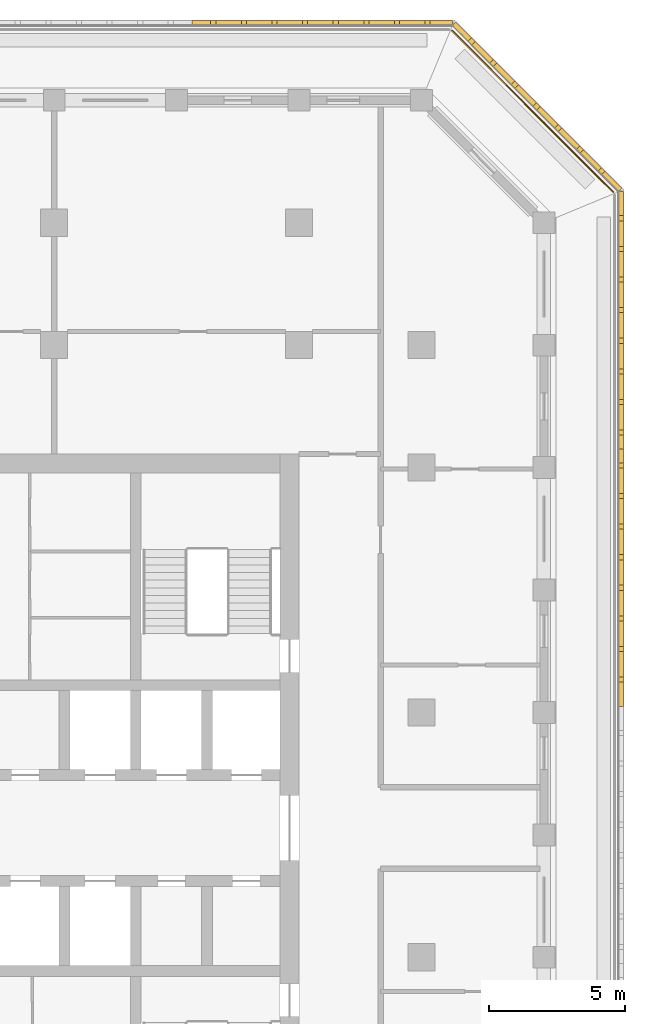
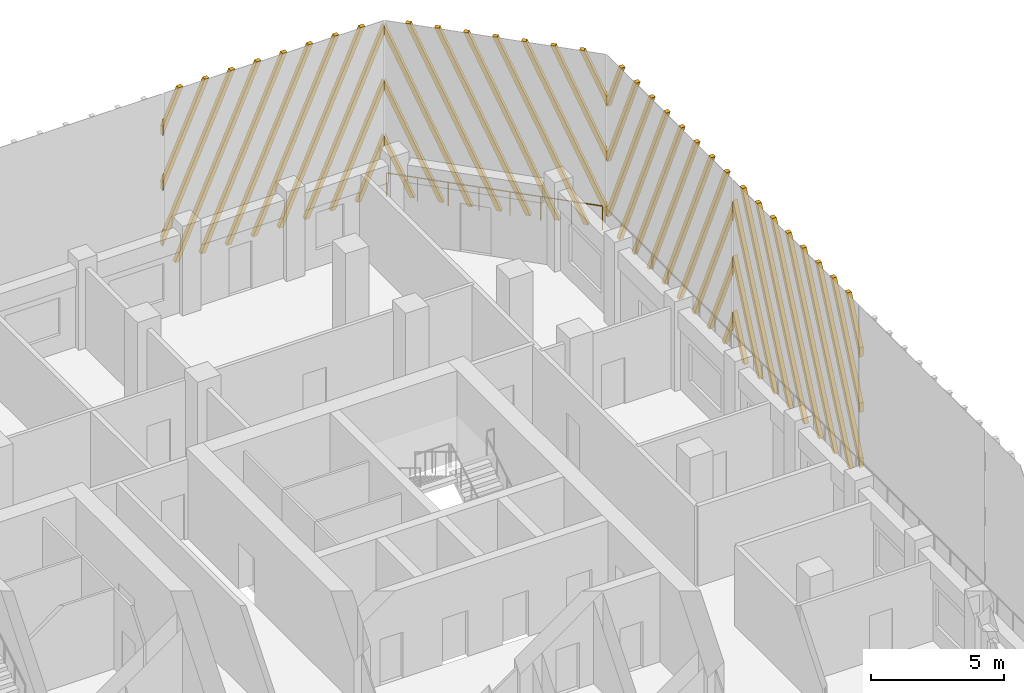
# One storey, part 16 of 17: 4 shading devices, 1 railing.
"""IFC4 building model written with IfcOpenShell, lengths in metres."""

from ifc_helpers import new_model, si_unit, direction, frame, origin, origin_2d, place, context, subcontext, project, spatial, polyline, circle, outline, extrude, source, transform, mapped, material, type_object, element, save


model = new_model("IFC4")

# Units and contexts
model_context = context("Model", 3, precision=1e-05, world=origin(), true_north=direction((0.0, 1.0)))
body_context = subcontext(model_context, "Body", "Model", "MODEL_VIEW")
ifc_project = project(units=[si_unit("LENGTHUNIT", "METRE"), si_unit("AREAUNIT", "SQUARE_METRE"), si_unit("VOLUMEUNIT", "CUBIC_METRE"), si_unit("PLANEANGLEUNIT", "RADIAN"), si_unit("MASSUNIT", "GRAM", prefix="KILO")], contexts=[model_context])

# Site, building, storey
site_placement = place(None, origin())
site = spatial("IfcSite", under=ifc_project, at=site_placement, CompositionType="ELEMENT")
building_placement = place(site_placement, origin())
building = spatial("IfcBuilding", under=site, at=building_placement, Name="Corbel Stack Research Tower", CompositionType="ELEMENT")
storey_placement = place(building_placement, frame((0.0, 0.0, 248.0)))
storey = spatial("IfcBuildingStorey", under=building, at=storey_placement, Name="L56", CompositionType="ELEMENT", Elevation=248.0)

# Railing
ifc_material_1 = material(Name="Powder-coated steel guard", Category="steel")
railing_type = type_object("IfcRailingType", Name="Steel and glass guard 1100", PredefinedType="GUARDRAIL", material=ifc_material_1)
railing_placement = place(storey_placement, frame((29.54931640625, 28.127685546875, 0.0)))
element("IfcRailing", 1, at=railing_placement, inside=storey, type_object=railing_type, Name="Loggia guard L56 NE", PredefinedType="GUARDRAIL", context=body_context, shape_type="SweptSolid", body=[
    extrude(circle(Radius=0.02392578125, at=origin_2d()), frame((0.0, 0.0, 1.076171875), z_axis=(-0.707106781187, 0.707106781187, 0.0), x_axis=(-0.707106781187, -0.707106781187, 0.0)), (0.0, 0.0, 1.0), 8.37451171875),
    extrude(circle(Radius=0.02099609375, at=origin_2d()), origin(), (0.0, 0.0, 1.0), 1.052001953125),
    extrude(circle(Radius=0.02099609375, at=origin_2d()), frame((-0.845947265625, 0.845947265625, 0.0)), (0.0, 0.0, 1.0), 1.052001953125),
    extrude(circle(Radius=0.02099609375, at=origin_2d()), frame((-1.69189453125, 1.69189453125, 0.0)), (0.0, 0.0, 1.0), 1.052001953125),
    extrude(circle(Radius=0.02099609375, at=origin_2d()), frame((-2.537841796875, 2.537841796875, 0.0)), (0.0, 0.0, 1.0), 1.052001953125),
    extrude(circle(Radius=0.02099609375, at=origin_2d()), frame((-3.3837890625, 3.3837890625, 0.0)), (0.0, 0.0, 1.0), 1.052001953125),
    extrude(circle(Radius=0.02099609375, at=origin_2d()), frame((-4.229736328125, 4.229736328125, 0.0)), (0.0, 0.0, 1.0), 1.052001953125),
    extrude(circle(Radius=0.02099609375, at=origin_2d()), frame((-5.07568359375, 5.07568359375, 0.0)), (0.0, 0.0, 1.0), 1.052001953125),
    extrude(circle(Radius=0.02099609375, at=origin_2d()), frame((-5.921630859375, 5.921630859375, 0.0)), (0.0, 0.0, 1.0), 1.052001953125),
])

# Shading devices
ifc_material_2 = material(Name="Precast terracotta", Category="masonry")
shading_device_type = type_object("IfcShadingDeviceType", Name="Terracotta screen panel", PredefinedType="USERDEFINED", material=ifc_material_2)
shared_shape_1 = source(origin(), body_context, "Body", "SweptSolid", [
    extrude(outline(polyline([(0.862060546875, 0.0), (0.0, 1.936279296875), (0.0, 1.509521484375), (0.672119140625, 0.0), (0.862060546875, 0.0)])), frame((0.0, 0.0, 0.0), z_axis=(0.0, -1.0, 0.0), x_axis=(1.0, 0.0, 0.0)), (0.0, 0.0, 1.0), 0.179931640625),
    extrude(outline(polyline([(1.987060546875, 0.0), (0.0, 4.463134765625), (0.0, 4.036376953125), (1.797119140625, 0.0), (1.987060546875, 0.0)])), frame((0.0, 0.0, 0.0), z_axis=(0.0, -1.0, 0.0), x_axis=(1.0, 0.0, 0.0)), (0.0, 0.0, 1.0), 0.179931640625),
    extrude(outline(polyline([(3.112060546875, 0.0), (0.0, 6.989990234375), (0.0, 6.563232421875), (2.922119140625, 0.0), (3.112060546875, 0.0)])), frame((0.0, 0.0, 0.0), z_axis=(0.0, -1.0, 0.0), x_axis=(1.0, 0.0, 0.0)), (0.0, 0.0, 1.0), 0.179931640625),
    extrude(outline(polyline([(4.237060546875, 0.0), (0.697509765625, 7.949951171875), (0.507568359375, 7.949951171875), (4.047119140625, 0.0), (4.237060546875, 0.0)])), frame((0.0, 0.0, 0.0), z_axis=(0.0, -1.0, 0.0), x_axis=(1.0, 0.0, 0.0)), (0.0, 0.0, 1.0), 0.179931640625),
    extrude(outline(polyline([(5.362060546875, 0.0), (1.822509765625, 7.949951171875), (1.632568359375, 7.949951171875), (5.172119140625, 0.0), (5.362060546875, 0.0)])), frame((0.0, 0.0, 0.0), z_axis=(0.0, -1.0, 0.0), x_axis=(1.0, 0.0, 0.0)), (0.0, 0.0, 1.0), 0.179931640625),
    extrude(outline(polyline([(6.487060546875, 0.0), (2.947509765625, 7.949951171875), (2.757568359375, 7.949951171875), (6.297119140625, 0.0), (6.487060546875, 0.0)])), frame((0.0, 0.0, 0.0), z_axis=(0.0, -1.0, 0.0), x_axis=(1.0, 0.0, 0.0)), (0.0, 0.0, 1.0), 0.179931640625),
    extrude(outline(polyline([(7.612060546875, 0.0), (4.072509765625, 7.949951171875), (3.882568359375, 7.949951171875), (7.422119140625, 0.0), (7.612060546875, 0.0)])), frame((0.0, 0.0, 0.0), z_axis=(0.0, -1.0, 0.0), x_axis=(1.0, 0.0, 0.0)), (0.0, 0.0, 1.0), 0.179931640625),
    extrude(outline(polyline([(8.737060546875, 0.0), (5.197509765625, 7.949951171875), (5.007568359375, 7.949951171875), (8.547119140625, 0.0), (8.737060546875, 0.0)])), frame((0.0, 0.0, 0.0), z_axis=(0.0, -1.0, 0.0), x_axis=(1.0, 0.0, 0.0)), (0.0, 0.0, 1.0), 0.179931640625),
    extrude(outline(polyline([(6.322509765625, 7.949951171875), (6.132568359375, 7.949951171875), (9.45556640625, 0.486328125), (9.45556640625, 0.9130859375), (6.322509765625, 7.949951171875)])), frame((0.0, 0.0, 0.0), z_axis=(0.0, -1.0, 0.0), x_axis=(1.0, 0.0, 0.0)), (0.0, 0.0, 1.0), 0.179931640625),
    extrude(outline(polyline([(7.447509765625, 7.949951171875), (7.257568359375, 7.949951171875), (9.45556640625, 3.01318359375), (9.45556640625, 3.439697265625), (7.447509765625, 7.949951171875)])), frame((0.0, 0.0, 0.0), z_axis=(0.0, -1.0, 0.0), x_axis=(1.0, 0.0, 0.0)), (0.0, 0.0, 1.0), 0.179931640625),
    extrude(outline(polyline([(8.572509765625, 7.949951171875), (8.382568359375, 7.949951171875), (9.45556640625, 5.539794921875), (9.45556640625, 5.966552734375), (8.572509765625, 7.949951171875)])), frame((0.0, 0.0, 0.0), z_axis=(0.0, -1.0, 0.0), x_axis=(1.0, 0.0, 0.0)), (0.0, 0.0, 1.0), 0.179931640625),
])
shading_device_1_placement = place(storey_placement, frame((29.75, 18.68359375, 0.0), z_axis=(0.0, 0.0, 1.0), x_axis=(0.0, 1.0, 0.0)))
element("IfcShadingDevice", 2, at=shading_device_1_placement, inside=storey, type_object=shading_device_type, Name="Terracotta screen L56 E5", ObjectType="SCREEN", PredefinedType="USERDEFINED", context=body_context, shape_type="MappedRepresentation", body=[
    mapped(shared_shape_1, transform((0.0, 0.0, 0.0))),
])
shared_shape_2 = source(origin(), body_context, "Body", "SweptSolid", [
    extrude(outline(polyline([(1.072998046875, 7.949951171875), (0.883056640625, 7.949951171875), (0.0, 5.966552734375), (0.0, 5.539794921875), (1.072998046875, 7.949951171875)])), frame((0.0, 0.0, 0.0), z_axis=(0.0, -1.0, 0.0), x_axis=(1.0, 0.0, 0.0)), (0.0, 0.0, 1.0), 0.179931640625),
    extrude(outline(polyline([(2.197998046875, 7.949951171875), (2.008056640625, 7.949951171875), (0.0, 3.439697265625), (0.0, 3.01318359375), (2.197998046875, 7.949951171875)])), frame((0.0, 0.0, 0.0), z_axis=(0.0, -1.0, 0.0), x_axis=(1.0, 0.0, 0.0)), (0.0, 0.0, 1.0), 0.179931640625),
    extrude(outline(polyline([(3.322998046875, 7.949951171875), (3.133056640625, 7.949951171875), (0.0, 0.9130859375), (0.0, 0.486328125), (3.322998046875, 7.949951171875)])), frame((0.0, 0.0, 0.0), z_axis=(0.0, -1.0, 0.0), x_axis=(1.0, 0.0, 0.0)), (0.0, 0.0, 1.0), 0.179931640625),
    extrude(outline(polyline([(0.908447265625, 0.0), (4.447998046875, 7.949951171875), (4.258056640625, 7.949951171875), (0.718505859375, 0.0), (0.908447265625, 0.0)])), frame((0.0, 0.0, 0.0), z_axis=(0.0, -1.0, 0.0), x_axis=(1.0, 0.0, 0.0)), (0.0, 0.0, 1.0), 0.179931640625),
    extrude(outline(polyline([(2.033447265625, 0.0), (5.572998046875, 7.949951171875), (5.383056640625, 7.949951171875), (1.843505859375, 0.0), (2.033447265625, 0.0)])), frame((0.0, 0.0, 0.0), z_axis=(0.0, -1.0, 0.0), x_axis=(1.0, 0.0, 0.0)), (0.0, 0.0, 1.0), 0.179931640625),
    extrude(outline(polyline([(3.158447265625, 0.0), (6.697998046875, 7.949951171875), (6.508056640625, 7.949951171875), (2.968505859375, 0.0), (3.158447265625, 0.0)])), frame((0.0, 0.0, 0.0), z_axis=(0.0, -1.0, 0.0), x_axis=(1.0, 0.0, 0.0)), (0.0, 0.0, 1.0), 0.179931640625),
    extrude(outline(polyline([(4.283447265625, 0.0), (7.822998046875, 7.949951171875), (7.633056640625, 7.949951171875), (4.093505859375, 0.0), (4.283447265625, 0.0)])), frame((0.0, 0.0, 0.0), z_axis=(0.0, -1.0, 0.0), x_axis=(1.0, 0.0, 0.0)), (0.0, 0.0, 1.0), 0.179931640625),
    extrude(outline(polyline([(5.408447265625, 0.0), (8.947998046875, 7.949951171875), (8.758056640625, 7.949951171875), (5.218505859375, 0.0), (5.408447265625, 0.0)])), frame((0.0, 0.0, 0.0), z_axis=(0.0, -1.0, 0.0), x_axis=(1.0, 0.0, 0.0)), (0.0, 0.0, 1.0), 0.179931640625),
    extrude(outline(polyline([(6.533447265625, 0.0), (9.45556640625, 6.563232421875), (9.45556640625, 6.989990234375), (6.343505859375, 0.0), (6.533447265625, 0.0)])), frame((0.0, 0.0, 0.0), z_axis=(0.0, -1.0, 0.0), x_axis=(1.0, 0.0, 0.0)), (0.0, 0.0, 1.0), 0.179931640625),
    extrude(outline(polyline([(7.658447265625, 0.0), (9.45556640625, 4.036376953125), (9.45556640625, 4.463134765625), (7.468505859375, 0.0), (7.658447265625, 0.0)])), frame((0.0, 0.0, 0.0), z_axis=(0.0, -1.0, 0.0), x_axis=(1.0, 0.0, 0.0)), (0.0, 0.0, 1.0), 0.179931640625),
    extrude(outline(polyline([(8.783447265625, 0.0), (9.45556640625, 1.509521484375), (9.45556640625, 1.936279296875), (8.593505859375, 0.0), (8.783447265625, 0.0)])), frame((0.0, 0.0, 0.0), z_axis=(0.0, -1.0, 0.0), x_axis=(1.0, 0.0, 0.0)), (0.0, 0.0, 1.0), 0.179931640625),
])
shading_device_2_placement = place(storey_placement, frame((29.75, 9.227783203125, 0.0), z_axis=(0.0, 0.0, 1.0), x_axis=(0.0, 1.0, 0.0)))
element("IfcShadingDevice", 3, at=shading_device_2_placement, inside=storey, type_object=shading_device_type, Name="Terracotta screen L56 E4", ObjectType="SCREEN", PredefinedType="USERDEFINED", context=body_context, shape_type="MappedRepresentation", body=[
    mapped(shared_shape_2, transform((0.0, 0.0, 0.0))),
])
shared_shape_3 = source(origin(), body_context, "Body", "SweptSolid", [
    extrude(outline(polyline([(1.072998046875, 7.949951171875), (0.883056640625, 7.949951171875), (0.0, 5.966552734375), (0.0, 5.539794921875), (1.072998046875, 7.949951171875)])), frame((0.0, 0.0, 0.0), z_axis=(0.0, -1.0, 0.0), x_axis=(1.0, 0.0, 0.0)), (0.0, 0.0, 1.0), 0.179931640625),
    extrude(outline(polyline([(2.197998046875, 7.949951171875), (2.008056640625, 7.949951171875), (0.0, 3.439697265625), (0.0, 3.01318359375), (2.197998046875, 7.949951171875)])), frame((0.0, 0.0, 0.0), z_axis=(0.0, -1.0, 0.0), x_axis=(1.0, 0.0, 0.0)), (0.0, 0.0, 1.0), 0.179931640625),
    extrude(outline(polyline([(3.322998046875, 7.949951171875), (3.133056640625, 7.949951171875), (0.0, 0.9130859375), (0.0, 0.486328125), (3.322998046875, 7.949951171875)])), frame((0.0, 0.0, 0.0), z_axis=(0.0, -1.0, 0.0), x_axis=(1.0, 0.0, 0.0)), (0.0, 0.0, 1.0), 0.179931640625),
    extrude(outline(polyline([(0.908447265625, 0.0), (4.447998046875, 7.949951171875), (4.258056640625, 7.949951171875), (0.718505859375, 0.0), (0.908447265625, 0.0)])), frame((0.0, 0.0, 0.0), z_axis=(0.0, -1.0, 0.0), x_axis=(1.0, 0.0, 0.0)), (0.0, 0.0, 1.0), 0.179931640625),
    extrude(outline(polyline([(2.033447265625, 0.0), (5.572998046875, 7.949951171875), (5.383056640625, 7.949951171875), (1.843505859375, 0.0), (2.033447265625, 0.0)])), frame((0.0, 0.0, 0.0), z_axis=(0.0, -1.0, 0.0), x_axis=(1.0, 0.0, 0.0)), (0.0, 0.0, 1.0), 0.179931640625),
    extrude(outline(polyline([(3.158447265625, 0.0), (6.697998046875, 7.949951171875), (6.508056640625, 7.949951171875), (2.968505859375, 0.0), (3.158447265625, 0.0)])), frame((0.0, 0.0, 0.0), z_axis=(0.0, -1.0, 0.0), x_axis=(1.0, 0.0, 0.0)), (0.0, 0.0, 1.0), 0.179931640625),
    extrude(outline(polyline([(4.283447265625, 0.0), (7.822998046875, 7.949951171875), (7.633056640625, 7.949951171875), (4.093505859375, 0.0), (4.283447265625, 0.0)])), frame((0.0, 0.0, 0.0), z_axis=(0.0, -1.0, 0.0), x_axis=(1.0, 0.0, 0.0)), (0.0, 0.0, 1.0), 0.179931640625),
    extrude(outline(polyline([(5.408447265625, 0.0), (8.64208984375, 7.262939453125), (8.64208984375, 7.689697265625), (5.218505859375, 0.0), (5.408447265625, 0.0)])), frame((0.0, 0.0, 0.0), z_axis=(0.0, -1.0, 0.0), x_axis=(1.0, 0.0, 0.0)), (0.0, 0.0, 1.0), 0.179931640625),
    extrude(outline(polyline([(6.533447265625, 0.0), (8.64208984375, 4.736083984375), (8.64208984375, 5.162841796875), (6.343505859375, 0.0), (6.533447265625, 0.0)])), frame((0.0, 0.0, 0.0), z_axis=(0.0, -1.0, 0.0), x_axis=(1.0, 0.0, 0.0)), (0.0, 0.0, 1.0), 0.179931640625),
    extrude(outline(polyline([(7.658447265625, 0.0), (8.64208984375, 2.209228515625), (8.64208984375, 2.635986328125), (7.468505859375, 0.0), (7.658447265625, 0.0)])), frame((0.0, 0.0, 0.0), z_axis=(0.0, -1.0, 0.0), x_axis=(1.0, 0.0, 0.0)), (0.0, 0.0, 1.0), 0.179931640625),
])
shading_device_3_placement = place(storey_placement, frame((29.75, 28.13916015625, 0.0), z_axis=(0.0, 0.0, 1.0), x_axis=(-0.707106781187, 0.707106781187, 0.0)))
element("IfcShadingDevice", 4, at=shading_device_3_placement, inside=storey, type_object=shading_device_type, Name="Terracotta screen L56 NE1", ObjectType="SCREEN", PredefinedType="USERDEFINED", context=body_context, shape_type="MappedRepresentation", body=[
    mapped(shared_shape_3, transform((0.0, 0.0, 0.0))),
])
shared_shape_4 = source(origin(), body_context, "Body", "SweptSolid", [
    extrude(outline(polyline([(1.173583984375, 0.0), (0.0, 2.635986328125), (0.0, 2.209228515625), (0.983642578125, 0.0), (1.173583984375, 0.0)])), frame((0.0, 0.0, 0.0), z_axis=(0.0, -1.0, 0.0), x_axis=(1.0, 0.0, 0.0)), (0.0, 0.0, 1.0), 0.179931640625),
    extrude(outline(polyline([(2.298583984375, 0.0), (0.0, 5.162841796875), (0.0, 4.736083984375), (2.108642578125, 0.0), (2.298583984375, 0.0)])), frame((0.0, 0.0, 0.0), z_axis=(0.0, -1.0, 0.0), x_axis=(1.0, 0.0, 0.0)), (0.0, 0.0, 1.0), 0.179931640625),
    extrude(outline(polyline([(3.423583984375, 0.0), (0.0, 7.689697265625), (0.0, 7.262939453125), (3.233642578125, 0.0), (3.423583984375, 0.0)])), frame((0.0, 0.0, 0.0), z_axis=(0.0, -1.0, 0.0), x_axis=(1.0, 0.0, 0.0)), (0.0, 0.0, 1.0), 0.179931640625),
    extrude(outline(polyline([(4.548583984375, 0.0), (1.009033203125, 7.949951171875), (0.819091796875, 7.949951171875), (4.358642578125, 0.0), (4.548583984375, 0.0)])), frame((0.0, 0.0, 0.0), z_axis=(0.0, -1.0, 0.0), x_axis=(1.0, 0.0, 0.0)), (0.0, 0.0, 1.0), 0.179931640625),
    extrude(outline(polyline([(5.673583984375, 0.0), (2.134033203125, 7.949951171875), (1.944091796875, 7.949951171875), (5.483642578125, 0.0), (5.673583984375, 0.0)])), frame((0.0, 0.0, 0.0), z_axis=(0.0, -1.0, 0.0), x_axis=(1.0, 0.0, 0.0)), (0.0, 0.0, 1.0), 0.179931640625),
    extrude(outline(polyline([(6.798583984375, 0.0), (3.259033203125, 7.949951171875), (3.069091796875, 7.949951171875), (6.608642578125, 0.0), (6.798583984375, 0.0)])), frame((0.0, 0.0, 0.0), z_axis=(0.0, -1.0, 0.0), x_axis=(1.0, 0.0, 0.0)), (0.0, 0.0, 1.0), 0.179931640625),
    extrude(outline(polyline([(7.923583984375, 0.0), (4.384033203125, 7.949951171875), (4.194091796875, 7.949951171875), (7.733642578125, 0.0), (7.923583984375, 0.0)])), frame((0.0, 0.0, 0.0), z_axis=(0.0, -1.0, 0.0), x_axis=(1.0, 0.0, 0.0)), (0.0, 0.0, 1.0), 0.179931640625),
    extrude(outline(polyline([(9.048583984375, 0.0), (5.509033203125, 7.949951171875), (5.319091796875, 7.949951171875), (8.858642578125, 0.0), (9.048583984375, 0.0)])), frame((0.0, 0.0, 0.0), z_axis=(0.0, -1.0, 0.0), x_axis=(1.0, 0.0, 0.0)), (0.0, 0.0, 1.0), 0.179931640625),
    extrude(outline(polyline([(6.634033203125, 7.949951171875), (6.444091796875, 7.949951171875), (9.569580078125, 0.93017578125), (9.569580078125, 1.356689453125), (6.634033203125, 7.949951171875)])), frame((0.0, 0.0, 0.0), z_axis=(0.0, -1.0, 0.0), x_axis=(1.0, 0.0, 0.0)), (0.0, 0.0, 1.0), 0.179931640625),
    extrude(outline(polyline([(7.759033203125, 7.949951171875), (7.569091796875, 7.949951171875), (9.569580078125, 3.456787109375), (9.569580078125, 3.883544921875), (7.759033203125, 7.949951171875)])), frame((0.0, 0.0, 0.0), z_axis=(0.0, -1.0, 0.0), x_axis=(1.0, 0.0, 0.0)), (0.0, 0.0, 1.0), 0.179931640625),
    extrude(outline(polyline([(8.884033203125, 7.949951171875), (8.694091796875, 7.949951171875), (9.569580078125, 5.983642578125), (9.569580078125, 6.410400390625), (8.884033203125, 7.949951171875)])), frame((0.0, 0.0, 0.0), z_axis=(0.0, -1.0, 0.0), x_axis=(1.0, 0.0, 0.0)), (0.0, 0.0, 1.0), 0.179931640625),
])
shading_device_4_placement = place(storey_placement, frame((23.63916015625, 34.25, 0.0), z_axis=(0.0, 0.0, 1.0), x_axis=(-1.0, 0.0, 0.0)))
element("IfcShadingDevice", 5, at=shading_device_4_placement, inside=storey, type_object=shading_device_type, Name="Terracotta screen L56 N1", ObjectType="SCREEN", PredefinedType="USERDEFINED", context=body_context, shape_type="MappedRepresentation", body=[
    mapped(shared_shape_4, transform((0.0, 0.0, 0.0))),
])

save(model, "model.ifc")
